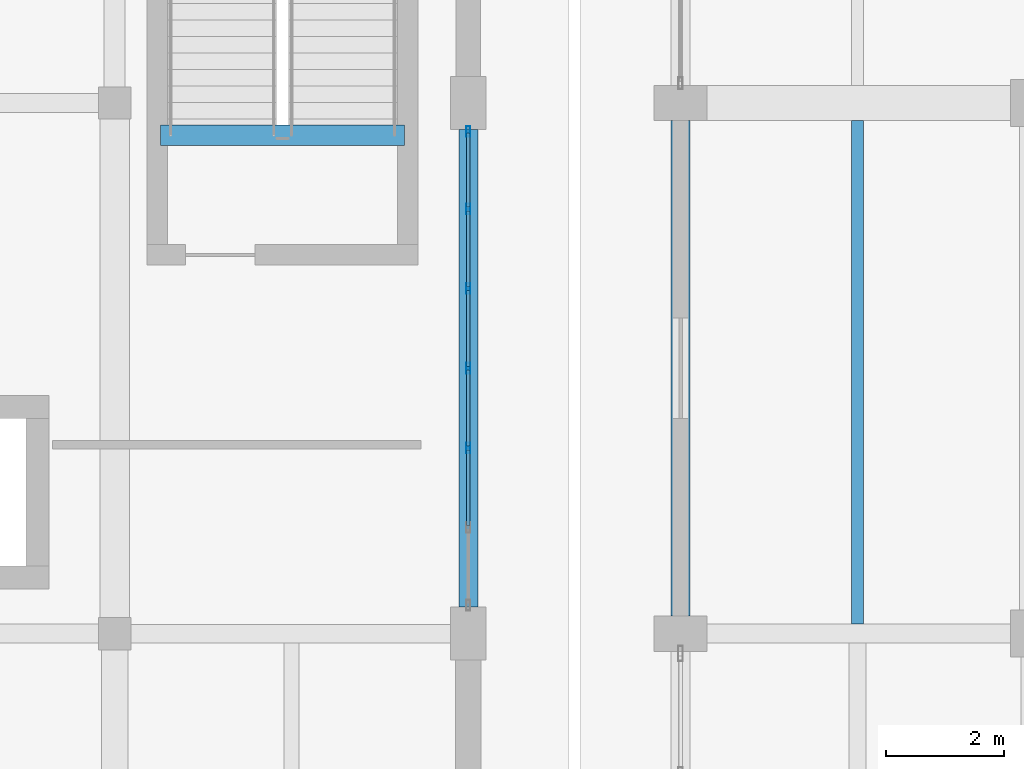
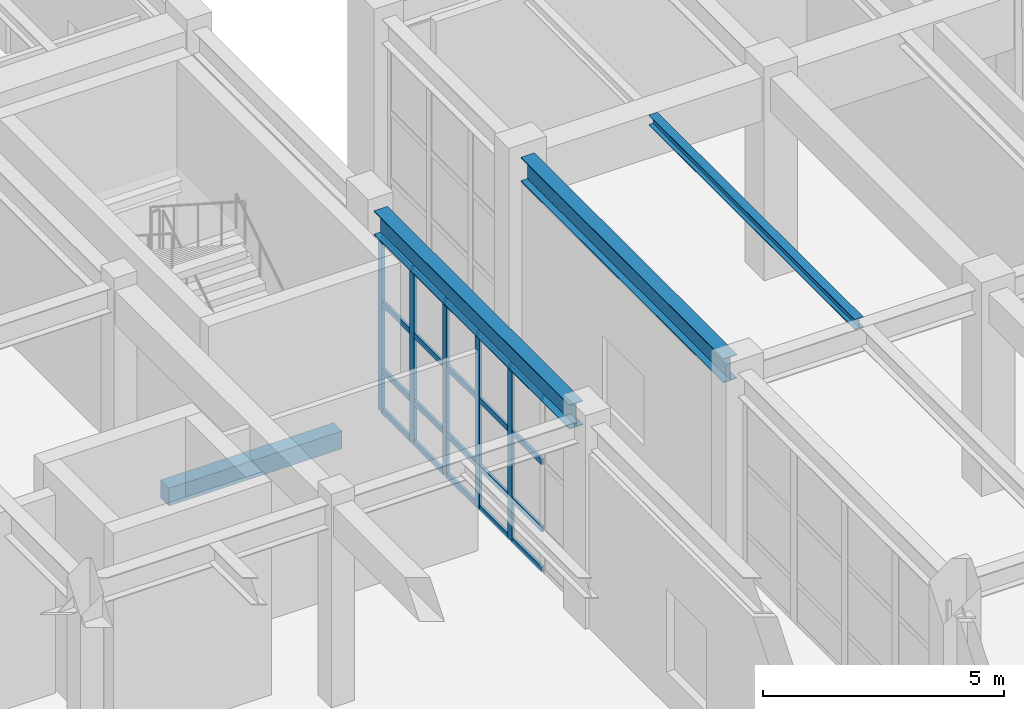
# One storey, part 34 of 91: 25 members, 4 beams, 1 element without a shape of its own.
"""IFC4 building model written with IfcOpenShell, lengths in metres."""

from ifc_helpers import new_model, si_unit, direction, frame, origin, origin_2d, place, context, subcontext, project, spatial, rectangle, hollow_rectangle, i_section, extrude, material, layer, layer_set, material_profile, profile_set, type_object, element, aggregate, save


model = new_model("IFC4")

# Units and contexts
model_context = context("Model", 3, precision=1e-05, world=origin(), true_north=direction((0.0, 1.0)))
body_context = subcontext(model_context, "Body", "Model", "MODEL_VIEW")
ifc_project = project(units=[si_unit("LENGTHUNIT", "METRE"), si_unit("AREAUNIT", "SQUARE_METRE"), si_unit("VOLUMEUNIT", "CUBIC_METRE"), si_unit("PLANEANGLEUNIT", "RADIAN"), si_unit("MASSUNIT", "GRAM", prefix="KILO")], contexts=[model_context])

# Site, building, storey
site_placement = place(None, origin())
site = spatial("IfcSite", under=ifc_project, at=site_placement, CompositionType="ELEMENT")
building_placement = place(site_placement, origin())
building = spatial("IfcBuilding", under=site, at=building_placement, Name="Vaelkrest Opera House", CompositionType="ELEMENT")
storey_placement = place(building_placement, origin())
storey = spatial("IfcBuildingStorey", under=building, at=storey_placement, Name="L00", CompositionType="ELEMENT", Elevation=0.0)

# Curtain wall, members
ifc_material_1 = material(Name="Dark bronze anodized aluminium", Category="aluminium")
ifc_layer = layer(ifc_material_1, 0.179931640625)
ifc_layer_set = layer_set([ifc_layer], Name="Dark bronze anodized aluminium")
curtain_wall_type = type_object("IfcCurtainWallType", Name="CW01", PredefinedType="NOTDEFINED", material=ifc_layer_set)
curtain_wall_placement = place(storey_placement, origin())
curtain_wall = element("IfcCurtainWall", 1, at=curtain_wall_placement, inside=storey, type_object=curtain_wall_type, Name="Curtain wall CW-L00-097", PredefinedType="NOTDEFINED")
ifc_material_profile_1 = material_profile(ifc_material_1, hollow_rectangle(XDim=0.06494140625, YDim=0.179931640625, WallThickness=0.00390625, at=origin_2d()), Name="CWM65X180")
ifc_profile_set_1 = profile_set([ifc_material_profile_1], Name="Dark bronze anodized aluminium")
member_type_1 = type_object("IfcMemberType", Name="CWM01", PredefinedType="MULLION", material=ifc_profile_set_1)
member_1_placement = place(storey_placement, frame((-33.60009765625, 9.719482421875, 0.0), z_axis=(0.0, 0.0, 1.0), x_axis=(1.0, 0.0, 0.0)))
member_1 = element("IfcMember", 2, at=member_1_placement, type_object=member_type_1, Name="CW01 mullion 1", PredefinedType="MULLION", context=body_context, shape_type="SweptSolid", body=[
    extrude(hollow_rectangle(XDim=0.06494140625, YDim=0.179931640625, WallThickness=0.00390625, at=origin_2d()), origin(), (0.0, 0.0, 1.0), 4.404052734375),
])
member_2_placement = place(storey_placement, frame((-33.60009765625, 8.4013671875, 0.0), z_axis=(0.0, 0.0, 1.0), x_axis=(1.0, 0.0, 0.0)))
member_2 = element("IfcMember", 3, at=member_2_placement, type_object=member_type_1, Name="CW01 mullion 2", PredefinedType="MULLION", context=body_context, shape_type="SweptSolid", body=[
    extrude(hollow_rectangle(XDim=0.06494140625, YDim=0.179931640625, WallThickness=0.00390625, at=origin_2d()), origin(), (0.0, 0.0, 1.0), 4.404052734375),
])
member_3_placement = place(storey_placement, frame((-33.60009765625, 7.05078125, 0.0), z_axis=(0.0, 0.0, 1.0), x_axis=(1.0, 0.0, 0.0)))
member_3 = element("IfcMember", 4, at=member_3_placement, type_object=member_type_1, Name="CW01 mullion 3", PredefinedType="MULLION", context=body_context, shape_type="SweptSolid", body=[
    extrude(hollow_rectangle(XDim=0.06494140625, YDim=0.179931640625, WallThickness=0.00390625, at=origin_2d()), origin(), (0.0, 0.0, 1.0), 4.404052734375),
])
member_4_placement = place(storey_placement, frame((-33.60009765625, 5.699951171875, 0.0), z_axis=(0.0, 0.0, 1.0), x_axis=(1.0, 0.0, 0.0)))
member_4 = element("IfcMember", 5, at=member_4_placement, type_object=member_type_1, Name="CW01 mullion 4", PredefinedType="MULLION", context=body_context, shape_type="SweptSolid", body=[
    extrude(hollow_rectangle(XDim=0.06494140625, YDim=0.179931640625, WallThickness=0.00390625, at=origin_2d()), origin(), (0.0, 0.0, 1.0), 4.404052734375),
])
member_5_placement = place(storey_placement, frame((-33.60009765625, 4.349365234375, 0.0), z_axis=(0.0, 0.0, 1.0), x_axis=(1.0, 0.0, 0.0)))
member_5 = element("IfcMember", 6, at=member_5_placement, type_object=member_type_1, Name="CW01 mullion 5", PredefinedType="MULLION", context=body_context, shape_type="SweptSolid", body=[
    extrude(hollow_rectangle(XDim=0.06494140625, YDim=0.179931640625, WallThickness=0.00390625, at=origin_2d()), origin(), (0.0, 0.0, 1.0), 4.404052734375),
])
ifc_material_profile_2 = material_profile(ifc_material_1, hollow_rectangle(XDim=0.06494140625, YDim=0.139892578125, WallThickness=0.00390625, at=origin_2d()), Name="CWT65X140")
ifc_profile_set_2 = profile_set([ifc_material_profile_2], Name="Dark bronze anodized aluminium")
member_type_2 = type_object("IfcMemberType", Name="CWT01", PredefinedType="USERDEFINED", material=ifc_profile_set_2)
member_6_placement = place(storey_placement, frame((-33.60009765625, 9.68701171875, 0.032470703125), z_axis=(0.0, -1.0, 0.0), x_axis=(1.0, 0.0, 0.0)))
member_6 = element("IfcMember", 7, at=member_6_placement, type_object=member_type_2, Name="CW01 transom 1.1", ObjectType="TRANSOM", PredefinedType="USERDEFINED", context=body_context, shape_type="SweptSolid", body=[
    extrude(hollow_rectangle(XDim=0.06494140625, YDim=0.139892578125, WallThickness=0.00390625, at=origin_2d()), origin(), (0.0, 0.0, 1.0), 1.253173828125),
])
member_7_placement = place(storey_placement, frame((-33.60009765625, 9.68701171875, 1.050048828125), z_axis=(0.0, -1.0, 0.0), x_axis=(1.0, 0.0, 0.0)))
member_7 = element("IfcMember", 8, at=member_7_placement, type_object=member_type_2, Name="CW01 transom 1.2", ObjectType="TRANSOM", PredefinedType="USERDEFINED", context=body_context, shape_type="SweptSolid", body=[
    extrude(hollow_rectangle(XDim=0.06494140625, YDim=0.139892578125, WallThickness=0.00390625, at=origin_2d()), origin(), (0.0, 0.0, 1.0), 1.253173828125),
])
member_8_placement = place(storey_placement, frame((-33.60009765625, 9.68701171875, 2.75), z_axis=(0.0, -1.0, 0.0), x_axis=(1.0, 0.0, 0.0)))
member_8 = element("IfcMember", 9, at=member_8_placement, type_object=member_type_2, Name="CW01 transom 1.3", ObjectType="TRANSOM", PredefinedType="USERDEFINED", context=body_context, shape_type="SweptSolid", body=[
    extrude(hollow_rectangle(XDim=0.06494140625, YDim=0.139892578125, WallThickness=0.00390625, at=origin_2d()), origin(), (0.0, 0.0, 1.0), 1.253173828125),
])
member_9_placement = place(storey_placement, frame((-33.60009765625, 9.68701171875, 4.37158203125), z_axis=(0.0, -1.0, 0.0), x_axis=(1.0, 0.0, 0.0)))
member_9 = element("IfcMember", 10, at=member_9_placement, type_object=member_type_2, Name="CW01 transom 1.4", ObjectType="TRANSOM", PredefinedType="USERDEFINED", context=body_context, shape_type="SweptSolid", body=[
    extrude(hollow_rectangle(XDim=0.06494140625, YDim=0.139892578125, WallThickness=0.00390625, at=origin_2d()), origin(), (0.0, 0.0, 1.0), 1.253173828125),
])
member_10_placement = place(storey_placement, frame((-33.60009765625, 8.368896484375, 0.032470703125), z_axis=(0.0, -1.0, 0.0), x_axis=(1.0, 0.0, 0.0)))
member_10 = element("IfcMember", 11, at=member_10_placement, type_object=member_type_2, Name="CW01 transom 2.1", ObjectType="TRANSOM", PredefinedType="USERDEFINED", context=body_context, shape_type="SweptSolid", body=[
    extrude(hollow_rectangle(XDim=0.06494140625, YDim=0.139892578125, WallThickness=0.00390625, at=origin_2d()), origin(), (0.0, 0.0, 1.0), 1.28564453125),
])
member_11_placement = place(storey_placement, frame((-33.60009765625, 8.368896484375, 1.050048828125), z_axis=(0.0, -1.0, 0.0), x_axis=(1.0, 0.0, 0.0)))
member_11 = element("IfcMember", 12, at=member_11_placement, type_object=member_type_2, Name="CW01 transom 2.2", ObjectType="TRANSOM", PredefinedType="USERDEFINED", context=body_context, shape_type="SweptSolid", body=[
    extrude(hollow_rectangle(XDim=0.06494140625, YDim=0.139892578125, WallThickness=0.00390625, at=origin_2d()), origin(), (0.0, 0.0, 1.0), 1.28564453125),
])
member_12_placement = place(storey_placement, frame((-33.60009765625, 8.368896484375, 2.75), z_axis=(0.0, -1.0, 0.0), x_axis=(1.0, 0.0, 0.0)))
member_12 = element("IfcMember", 13, at=member_12_placement, type_object=member_type_2, Name="CW01 transom 2.3", ObjectType="TRANSOM", PredefinedType="USERDEFINED", context=body_context, shape_type="SweptSolid", body=[
    extrude(hollow_rectangle(XDim=0.06494140625, YDim=0.139892578125, WallThickness=0.00390625, at=origin_2d()), origin(), (0.0, 0.0, 1.0), 1.28564453125),
])
member_13_placement = place(storey_placement, frame((-33.60009765625, 8.368896484375, 4.37158203125), z_axis=(0.0, -1.0, 0.0), x_axis=(1.0, 0.0, 0.0)))
member_13 = element("IfcMember", 14, at=member_13_placement, type_object=member_type_2, Name="CW01 transom 2.4", ObjectType="TRANSOM", PredefinedType="USERDEFINED", context=body_context, shape_type="SweptSolid", body=[
    extrude(hollow_rectangle(XDim=0.06494140625, YDim=0.139892578125, WallThickness=0.00390625, at=origin_2d()), origin(), (0.0, 0.0, 1.0), 1.28564453125),
])
member_14_placement = place(storey_placement, frame((-33.60009765625, 7.01806640625, 0.032470703125), z_axis=(0.0, -1.0, 0.0), x_axis=(1.0, 0.0, 0.0)))
member_14 = element("IfcMember", 15, at=member_14_placement, type_object=member_type_2, Name="CW01 transom 3.1", ObjectType="TRANSOM", PredefinedType="USERDEFINED", context=body_context, shape_type="SweptSolid", body=[
    extrude(hollow_rectangle(XDim=0.06494140625, YDim=0.139892578125, WallThickness=0.00390625, at=origin_2d()), origin(), (0.0, 0.0, 1.0), 1.28564453125),
])
member_15_placement = place(storey_placement, frame((-33.60009765625, 7.01806640625, 1.050048828125), z_axis=(0.0, -1.0, 0.0), x_axis=(1.0, 0.0, 0.0)))
member_15 = element("IfcMember", 16, at=member_15_placement, type_object=member_type_2, Name="CW01 transom 3.2", ObjectType="TRANSOM", PredefinedType="USERDEFINED", context=body_context, shape_type="SweptSolid", body=[
    extrude(hollow_rectangle(XDim=0.06494140625, YDim=0.139892578125, WallThickness=0.00390625, at=origin_2d()), origin(), (0.0, 0.0, 1.0), 1.28564453125),
])
member_16_placement = place(storey_placement, frame((-33.60009765625, 7.01806640625, 2.75), z_axis=(0.0, -1.0, 0.0), x_axis=(1.0, 0.0, 0.0)))
member_16 = element("IfcMember", 17, at=member_16_placement, type_object=member_type_2, Name="CW01 transom 3.3", ObjectType="TRANSOM", PredefinedType="USERDEFINED", context=body_context, shape_type="SweptSolid", body=[
    extrude(hollow_rectangle(XDim=0.06494140625, YDim=0.139892578125, WallThickness=0.00390625, at=origin_2d()), origin(), (0.0, 0.0, 1.0), 1.28564453125),
])
member_17_placement = place(storey_placement, frame((-33.60009765625, 7.01806640625, 4.37158203125), z_axis=(0.0, -1.0, 0.0), x_axis=(1.0, 0.0, 0.0)))
member_17 = element("IfcMember", 18, at=member_17_placement, type_object=member_type_2, Name="CW01 transom 3.4", ObjectType="TRANSOM", PredefinedType="USERDEFINED", context=body_context, shape_type="SweptSolid", body=[
    extrude(hollow_rectangle(XDim=0.06494140625, YDim=0.139892578125, WallThickness=0.00390625, at=origin_2d()), origin(), (0.0, 0.0, 1.0), 1.28564453125),
])
member_18_placement = place(storey_placement, frame((-33.60009765625, 5.66748046875, 0.032470703125), z_axis=(0.0, -1.0, 0.0), x_axis=(1.0, 0.0, 0.0)))
member_18 = element("IfcMember", 19, at=member_18_placement, type_object=member_type_2, Name="CW01 transom 4.1", ObjectType="TRANSOM", PredefinedType="USERDEFINED", context=body_context, shape_type="SweptSolid", body=[
    extrude(hollow_rectangle(XDim=0.06494140625, YDim=0.139892578125, WallThickness=0.00390625, at=origin_2d()), origin(), (0.0, 0.0, 1.0), 1.28564453125),
])
member_19_placement = place(storey_placement, frame((-33.60009765625, 5.66748046875, 1.050048828125), z_axis=(0.0, -1.0, 0.0), x_axis=(1.0, 0.0, 0.0)))
member_19 = element("IfcMember", 20, at=member_19_placement, type_object=member_type_2, Name="CW01 transom 4.2", ObjectType="TRANSOM", PredefinedType="USERDEFINED", context=body_context, shape_type="SweptSolid", body=[
    extrude(hollow_rectangle(XDim=0.06494140625, YDim=0.139892578125, WallThickness=0.00390625, at=origin_2d()), origin(), (0.0, 0.0, 1.0), 1.28564453125),
])
member_20_placement = place(storey_placement, frame((-33.60009765625, 5.66748046875, 2.75), z_axis=(0.0, -1.0, 0.0), x_axis=(1.0, 0.0, 0.0)))
member_20 = element("IfcMember", 21, at=member_20_placement, type_object=member_type_2, Name="CW01 transom 4.3", ObjectType="TRANSOM", PredefinedType="USERDEFINED", context=body_context, shape_type="SweptSolid", body=[
    extrude(hollow_rectangle(XDim=0.06494140625, YDim=0.139892578125, WallThickness=0.00390625, at=origin_2d()), origin(), (0.0, 0.0, 1.0), 1.28564453125),
])
member_21_placement = place(storey_placement, frame((-33.60009765625, 5.66748046875, 4.37158203125), z_axis=(0.0, -1.0, 0.0), x_axis=(1.0, 0.0, 0.0)))
member_21 = element("IfcMember", 22, at=member_21_placement, type_object=member_type_2, Name="CW01 transom 4.4", ObjectType="TRANSOM", PredefinedType="USERDEFINED", context=body_context, shape_type="SweptSolid", body=[
    extrude(hollow_rectangle(XDim=0.06494140625, YDim=0.139892578125, WallThickness=0.00390625, at=origin_2d()), origin(), (0.0, 0.0, 1.0), 1.28564453125),
])
member_22_placement = place(storey_placement, frame((-33.60009765625, 4.31689453125, 0.032470703125), z_axis=(0.0, -1.0, 0.0), x_axis=(1.0, 0.0, 0.0)))
member_22 = element("IfcMember", 23, at=member_22_placement, type_object=member_type_2, Name="CW01 transom 5.1", ObjectType="TRANSOM", PredefinedType="USERDEFINED", context=body_context, shape_type="SweptSolid", body=[
    extrude(hollow_rectangle(XDim=0.06494140625, YDim=0.139892578125, WallThickness=0.00390625, at=origin_2d()), origin(), (0.0, 0.0, 1.0), 1.28564453125),
])
member_23_placement = place(storey_placement, frame((-33.60009765625, 4.31689453125, 1.050048828125), z_axis=(0.0, -1.0, 0.0), x_axis=(1.0, 0.0, 0.0)))
member_23 = element("IfcMember", 24, at=member_23_placement, type_object=member_type_2, Name="CW01 transom 5.2", ObjectType="TRANSOM", PredefinedType="USERDEFINED", context=body_context, shape_type="SweptSolid", body=[
    extrude(hollow_rectangle(XDim=0.06494140625, YDim=0.139892578125, WallThickness=0.00390625, at=origin_2d()), origin(), (0.0, 0.0, 1.0), 1.28564453125),
])
member_24_placement = place(storey_placement, frame((-33.60009765625, 4.31689453125, 2.75), z_axis=(0.0, -1.0, 0.0), x_axis=(1.0, 0.0, 0.0)))
member_24 = element("IfcMember", 25, at=member_24_placement, type_object=member_type_2, Name="CW01 transom 5.3", ObjectType="TRANSOM", PredefinedType="USERDEFINED", context=body_context, shape_type="SweptSolid", body=[
    extrude(hollow_rectangle(XDim=0.06494140625, YDim=0.139892578125, WallThickness=0.00390625, at=origin_2d()), origin(), (0.0, 0.0, 1.0), 1.28564453125),
])
member_25_placement = place(storey_placement, frame((-33.60009765625, 4.31689453125, 4.37158203125), z_axis=(0.0, -1.0, 0.0), x_axis=(1.0, 0.0, 0.0)))
member_25 = element("IfcMember", 26, at=member_25_placement, type_object=member_type_2, Name="CW01 transom 5.4", ObjectType="TRANSOM", PredefinedType="USERDEFINED", context=body_context, shape_type="SweptSolid", body=[
    extrude(hollow_rectangle(XDim=0.06494140625, YDim=0.139892578125, WallThickness=0.00390625, at=origin_2d()), origin(), (0.0, 0.0, 1.0), 1.28564453125),
])
aggregate(curtain_wall, [member_1, member_2, member_3, member_4, member_5, member_6, member_7, member_8, member_9, member_10, member_11, member_12, member_13, member_14, member_15, member_16, member_17, member_18, member_19, member_20, member_21, member_22, member_23, member_24, member_25])

# Beams
ifc_material_2 = material(Name="Steel A992 Gr50", Category="steel")
ifc_material_profile_3 = material_profile(ifc_material_2, i_section(OverallWidth=0.2041015625, OverallDepth=0.257080078125, WebThickness=0.0087890625, FlangeThickness=0.015625, at=origin_2d()), Name="W10X45")
ifc_profile_set_3 = profile_set([ifc_material_profile_3], Name="Steel A992 Gr50")
beam_type_1 = type_object("IfcBeamType", Name="J01", PredefinedType="JOIST", material=ifc_profile_set_3)
beam_1_placement = place(storey_placement, frame((-27.0, 1.362060546875, 4.951416015625), z_axis=(0.0, 1.0, 0.0), x_axis=(-1.0, 0.0, 0.0)))
element("IfcBeam", 27, at=beam_1_placement, inside=storey, type_object=beam_type_1, Name="Floor joist JST-V1-L00-0191", PredefinedType="JOIST", context=body_context, shape_type="SweptSolid", body=[
    extrude(i_section(OverallWidth=0.2041015625, OverallDepth=0.257080078125, WebThickness=0.0087890625, FlangeThickness=0.015625, at=origin_2d()), origin(), (0.0, 0.0, 1.0), 8.537841796875),
])
ifc_material_3 = material(Name="Concrete C50/60", Category="concrete")
ifc_material_profile_4 = material_profile(ifc_material_3, rectangle(XDim=0.35009765625, YDim=0.449951171875, at=origin_2d()), Name="RCB350X450")
ifc_profile_set_4 = profile_set([ifc_material_profile_4], Name="Concrete C50/60")
beam_type_2 = type_object("IfcBeamType", Name="LN01", PredefinedType="LINTEL", material=ifc_profile_set_4)
beam_2_placement = place(storey_placement, frame((-38.820068359375, 9.64990234375, -0.22509765625), z_axis=(1.0, 0.0, 0.0), x_axis=(0.0, 1.0, 0.0)))
element("IfcBeam", 28, at=beam_2_placement, inside=storey, type_object=beam_type_2, Name="Stairwell trimmer beam ST08 L00", PredefinedType="LINTEL", context=body_context, shape_type="SweptSolid", body=[
    extrude(rectangle(XDim=0.35009765625, YDim=0.449951171875, at=origin_2d()), origin(), (0.0, 0.0, 1.0), 4.14013671875),
])
ifc_material_profile_5 = material_profile(ifc_material_2, i_section(OverallWidth=0.323974609375, OverallDepth=0.611083984375, WebThickness=0.0126953125, FlangeThickness=0.01904296875, at=origin_2d()), Name="W24X104")
ifc_profile_set_5 = profile_set([ifc_material_profile_5], Name="Steel A992 Gr50")
beam_type_3 = type_object("IfcBeamType", Name="SP01", PredefinedType="SPANDREL", material=ifc_profile_set_5)
beam_3_placement = place(storey_placement, frame((-30.0, 1.5, 4.7744140625), z_axis=(0.0, 1.0, 0.0), x_axis=(-1.0, 0.0, 0.0)))
element("IfcBeam", 29, at=beam_3_placement, inside=storey, type_object=beam_type_3, Name="Beam BM-V1-L00-0147", PredefinedType="SPANDREL", context=body_context, shape_type="SweptSolid", body=[
    extrude(i_section(OverallWidth=0.323974609375, OverallDepth=0.611083984375, WebThickness=0.0126953125, FlangeThickness=0.01904296875, at=origin_2d()), origin(), (0.0, 0.0, 1.0), 8.39990234375),
])
beam_4_placement = place(storey_placement, frame((-33.60009765625, 1.64990234375, 4.7744140625), z_axis=(0.0, 1.0, 0.0), x_axis=(-1.0, 0.0, 0.0)))
element("IfcBeam", 30, at=beam_4_placement, inside=storey, type_object=beam_type_3, Name="Beam BM-V3-L00-1475", PredefinedType="SPANDREL", context=body_context, shape_type="SweptSolid", body=[
    extrude(i_section(OverallWidth=0.323974609375, OverallDepth=0.611083984375, WebThickness=0.0126953125, FlangeThickness=0.01904296875, at=origin_2d()), origin(), (0.0, 0.0, 1.0), 8.10009765625),
])

save(model, "model.ifc")
